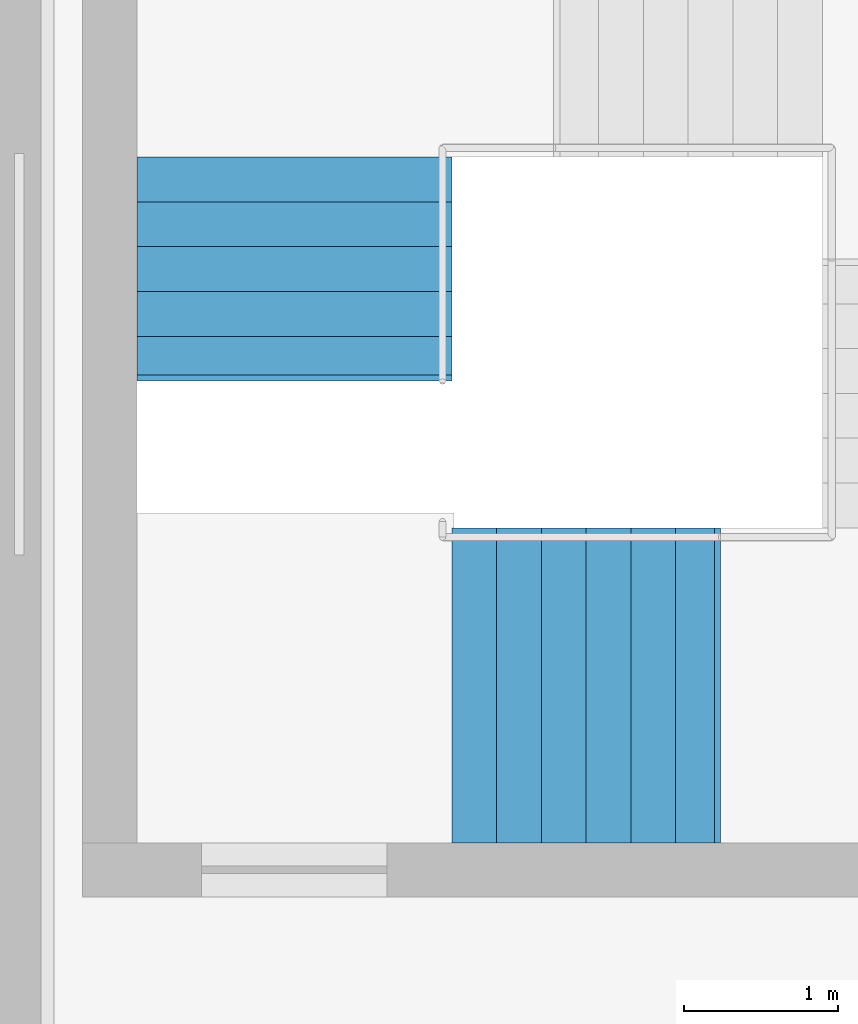
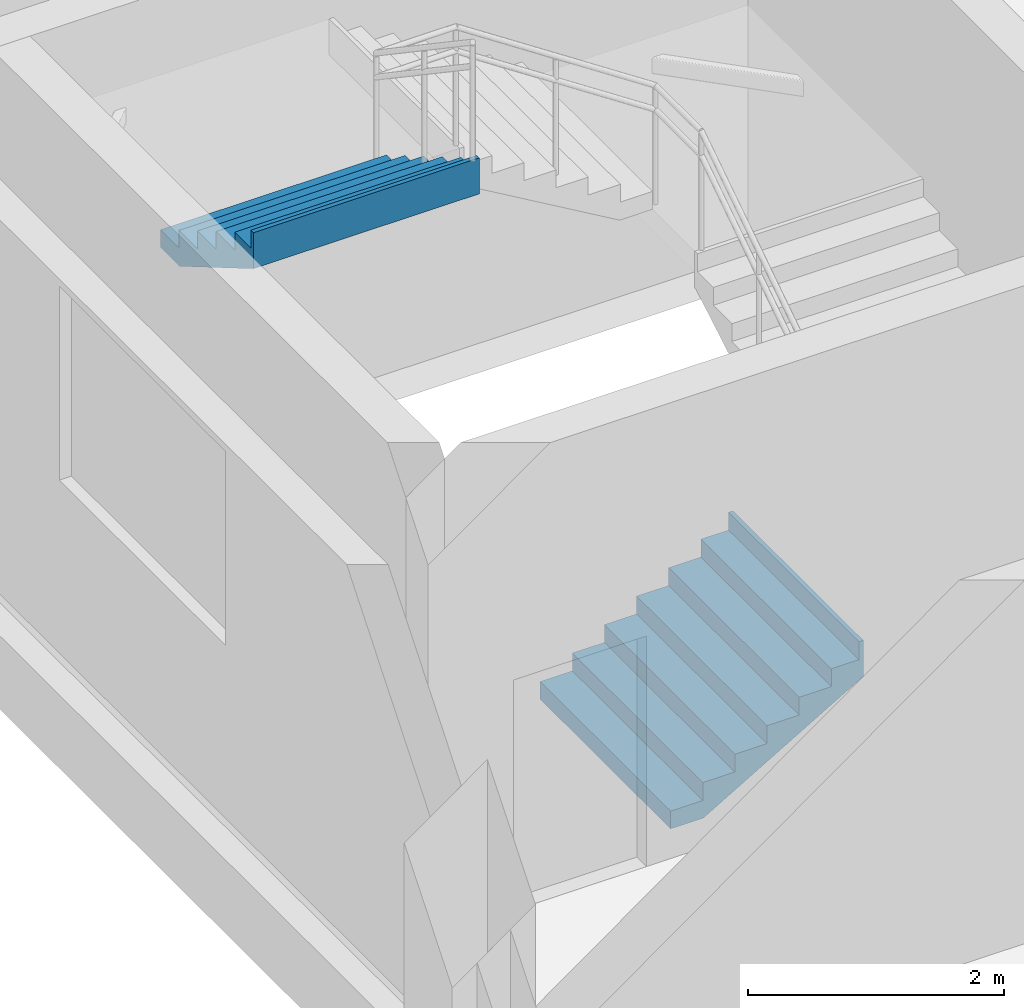
# One storey, part 44 of 58: 2 stair flights, 1 element without a shape of its own.
"""IFC4 building model written with IfcOpenShell, lengths in metres."""

from ifc_helpers import new_model, si_unit, direction, frame, origin, place, context, subcontext, project, spatial, triangles, material, type_object, element, aggregate, save


model = new_model("IFC4")

# Units and contexts
model_context = context("Model", 3, precision=1e-05, world=origin(), true_north=direction((0.0, 1.0)))
body_context = subcontext(model_context, "Body", "Model", "MODEL_VIEW")
ifc_project = project(units=[si_unit("LENGTHUNIT", "METRE"), si_unit("AREAUNIT", "SQUARE_METRE"), si_unit("VOLUMEUNIT", "CUBIC_METRE"), si_unit("PLANEANGLEUNIT", "RADIAN"), si_unit("MASSUNIT", "GRAM", prefix="KILO")], contexts=[model_context])

# Site, building, storey
site_placement = place(None, origin())
site = spatial("IfcSite", under=ifc_project, at=site_placement, CompositionType="ELEMENT")
building_placement = place(site_placement, origin())
building = spatial("IfcBuilding", under=site, at=building_placement, Name="Sillaruma Civic Art Gallery", CompositionType="ELEMENT")
storey_placement = place(building_placement, frame((0.0, 0.0, 28.56005859375)))
storey = spatial("IfcBuildingStorey", under=building, at=storey_placement, Name="L05", CompositionType="ELEMENT", Elevation=28.56005859375)

# Stair, stair flights
ifc_material = material(Name="Concrete H35 (35 MPa)", Category="concrete")
stair_type = type_object("IfcStairType", Name="STR-4F-27", PredefinedType="USERDEFINED", material=ifc_material)
stair_placement = place(storey_placement, origin())
stair = element("IfcStair", 1, at=stair_placement, inside=storey, type_object=stair_type, Name="Protected Exit Stair ST-03 (West Bar South) (L05)", ObjectType="THREE_RETURN_STAIR", PredefinedType="USERDEFINED")
stair_flight_type_1 = type_object("IfcStairFlightType", Name="SFL-STR-6", PredefinedType="STRAIGHT", material=ifc_material)
stair_flight_1_placement = place(storey_placement, frame((63.780029296875, 35.85009765625, 3.56982421875), z_axis=(0.0, 0.0, 1.0), x_axis=(0.0, -1.0, 0.0)))
stair_flight_1 = element("IfcStairFlight", 2, at=stair_flight_1_placement, type_object=stair_flight_type_1, Name="ST-03 flight 4", NumberOfRisers=6, NumberOfTreads=5, PredefinedType="STRAIGHT", RiserHeight=0.17, TreadLength=0.29, context=body_context, shape_type="Tessellation", body=[
    triangles([(0.0, -1.02001953125, 0.0), (0.29, -1.02001953125, 0.0), (0.296365, -1.02001953125, 0.0), (0.58, -1.02001953125, 0.166269), (0.87, -1.02001953125, 0.336269), (1.16, -1.02001953125, 0.506269), (1.409951, -1.02001953125, 0.652792), (1.449951, -1.02001953125, 0.67624), (1.449951, -1.02001953125, 1.02), (1.409951, -1.02001953125, 1.02), (1.409951, -1.02001953125, 0.85), (1.16, -1.02001953125, 0.85), (1.16, -1.02001953125, 0.68), (0.87, -1.02001953125, 0.68), (0.87, -1.02001953125, 0.51), (0.58, -1.02001953125, 0.51), (0.58, -1.02001953125, 0.34), (0.296365, -1.02001953125, 0.34), (0.29, -1.02001953125, 0.34), (0.29, -1.02001953125, 0.17), (0.0, -1.02001953125, 0.17), (0.0, -0.05, 0.0), (0.29, -0.05, 0.0), (0.296365, -0.05, 0.0), (0.58, -0.05, 0.166269), (0.87, -0.05, 0.336269), (1.16, -0.05, 0.506269), (1.409951, -0.05, 0.652792), (1.449951, -0.05, 0.67624), (1.449951, -0.05, 1.02), (1.409951, -0.05, 1.02), (1.409951, -0.05, 0.85), (1.16, -0.05, 0.85), (1.16, -0.05, 0.68), (0.87, -0.05, 0.68), (0.87, -0.05, 0.51), (0.58, -0.05, 0.51), (0.58, -0.05, 0.34), (0.296365, -0.05, 0.34), (0.29, -0.05, 0.34), (0.29, -0.05, 0.17), (0.0, -0.05, 0.17), (0.0, -0.0375, 0.0), (0.29, -0.0375, 0.0), (0.296365, -0.0375, 0.0), (0.58, -0.0375, 0.166269), (0.87, -0.0375, 0.336269), (1.16, -0.0375, 0.506269), (1.409951, -0.0375, 0.652792), (1.449951, -0.0375, 0.67624), (1.449951, -0.0375, 1.02), (1.409951, -0.0375, 1.02), (1.409951, -0.0375, 0.85), (1.16, -0.0375, 0.85), (1.16, -0.0375, 0.68), (0.87, -0.0375, 0.68), (0.87, -0.0375, 0.51), (0.58, -0.0375, 0.51), (0.58, -0.0375, 0.34), (0.296365, -0.0375, 0.34), (0.29, -0.0375, 0.34), (0.29, -0.0375, 0.17), (0.0, -0.0375, 0.17), (0.0, -0.025, 0.0), (0.29, -0.025, 0.0), (0.296365, -0.025, 0.0), (0.58, -0.025, 0.166269), (0.87, -0.025, 0.336269), (1.16, -0.025, 0.506269), (1.409951, -0.025, 0.652792), (1.449951, -0.025, 0.67624), (1.449951, -0.025, 1.02), (1.409951, -0.025, 1.02), (1.409951, -0.025, 0.85), (1.16, -0.025, 0.85), (1.16, -0.025, 0.68), (0.87, -0.025, 0.68), (0.87, -0.025, 0.51), (0.58, -0.025, 0.51), (0.58, -0.025, 0.34), (0.296365, -0.025, 0.34), (0.29, -0.025, 0.34), (0.29, -0.025, 0.17), (0.0, -0.025, 0.17), (0.0, -0.0125, 0.0), (0.29, -0.0125, 0.0), (0.296365, -0.0125, 0.0), (0.58, -0.0125, 0.166269), (0.87, -0.0125, 0.336269), (1.16, -0.0125, 0.506269), (1.409951, -0.0125, 0.652792), (1.449951, -0.0125, 0.67624), (1.449951, -0.0125, 1.02), (1.409951, -0.0125, 1.02), (1.409951, -0.0125, 0.85), (1.16, -0.0125, 0.85), (1.16, -0.0125, 0.68), (0.87, -0.0125, 0.68), (0.87, -0.0125, 0.51), (0.58, -0.0125, 0.51), (0.58, -0.0125, 0.34), (0.296365, -0.0125, 0.34), (0.29, -0.0125, 0.34), (0.29, -0.0125, 0.17), (0.0, -0.0125, 0.17), (0.0, 0.0, 0.0), (0.29, 0.0, 0.0), (0.296365, 0.0, 0.0), (0.58, 0.0, 0.166269), (0.87, 0.0, 0.336269), (1.16, 0.0, 0.506269), (1.409951, 0.0, 0.652792), (1.449951, 0.0, 0.67624), (1.449951, 0.0, 1.02), (1.409951, 0.0, 1.02), (1.409951, 0.0, 0.85), (1.16, 0.0, 0.85), (1.16, 0.0, 0.68), (0.87, 0.0, 0.68), (0.87, 0.0, 0.51), (0.58, 0.0, 0.51), (0.58, 0.0, 0.34), (0.296365, 0.0, 0.34), (0.29, 0.0, 0.34), (0.29, 0.0, 0.17), (0.0, 0.0, 0.17), (0.0, 0.0125, 0.0), (0.29, 0.0125, 0.0), (0.296365, 0.0125, 0.0), (0.58, 0.0125, 0.166269), (0.87, 0.0125, 0.336269), (1.16, 0.0125, 0.506269), (1.409951, 0.0125, 0.652792), (1.449951, 0.0125, 0.67624), (1.449951, 0.0125, 1.02), (1.409951, 0.0125, 1.02), (1.409951, 0.0125, 0.85), (1.16, 0.0125, 0.85), (1.16, 0.0125, 0.68), (0.87, 0.0125, 0.68), (0.87, 0.0125, 0.51), (0.58, 0.0125, 0.51), (0.58, 0.0125, 0.34), (0.296365, 0.0125, 0.34), (0.29, 0.0125, 0.34), (0.29, 0.0125, 0.17), (0.0, 0.0125, 0.17), (0.0, 0.025, 0.0), (0.29, 0.025, 0.0), (0.296365, 0.025, 0.0), (0.58, 0.025, 0.166269), (0.87, 0.025, 0.336269), (1.16, 0.025, 0.506269), (1.409951, 0.025, 0.652792), (1.449951, 0.025, 0.67624), (1.449951, 0.025, 1.02), (1.409951, 0.025, 1.02), (1.409951, 0.025, 0.85), (1.16, 0.025, 0.85), (1.16, 0.025, 0.68), (0.87, 0.025, 0.68), (0.87, 0.025, 0.51), (0.58, 0.025, 0.51), (0.58, 0.025, 0.34), (0.296365, 0.025, 0.34), (0.29, 0.025, 0.34), (0.29, 0.025, 0.17), (0.0, 0.025, 0.17), (0.0, 0.0375, 0.0), (0.29, 0.0375, 0.0), (0.296365, 0.0375, 0.0), (0.58, 0.0375, 0.166269), (0.87, 0.0375, 0.336269), (1.16, 0.0375, 0.506269), (1.409951, 0.0375, 0.652792), (1.449951, 0.0375, 0.67624), (1.449951, 0.0375, 1.02), (1.409951, 0.0375, 1.02), (1.409951, 0.0375, 0.85), (1.16, 0.0375, 0.85), (1.16, 0.0375, 0.68), (0.87, 0.0375, 0.68), (0.87, 0.0375, 0.51), (0.58, 0.0375, 0.51), (0.58, 0.0375, 0.34), (0.296365, 0.0375, 0.34), (0.29, 0.0375, 0.34), (0.29, 0.0375, 0.17), (0.0, 0.0375, 0.17), (0.0, 0.05, 0.0), (0.29, 0.05, 0.0), (0.296365, 0.05, 0.0), (0.58, 0.05, 0.166269), (0.87, 0.05, 0.336269), (1.16, 0.05, 0.506269), (1.409951, 0.05, 0.652792), (1.449951, 0.05, 0.67624), (1.449951, 0.05, 1.02), (1.409951, 0.05, 1.02), (1.409951, 0.05, 0.85), (1.16, 0.05, 0.85), (1.16, 0.05, 0.68), (0.87, 0.05, 0.68), (0.87, 0.05, 0.51), (0.58, 0.05, 0.51), (0.58, 0.05, 0.34), (0.296365, 0.05, 0.34), (0.29, 0.05, 0.34), (0.29, 0.05, 0.17), (0.0, 0.05, 0.17), (0.0, 1.02001953125, 0.0), (0.29, 1.02001953125, 0.0), (0.296365, 1.02001953125, 0.0), (0.58, 1.02001953125, 0.166269), (0.87, 1.02001953125, 0.336269), (1.16, 1.02001953125, 0.506269), (1.409951, 1.02001953125, 0.652792), (1.449951, 1.02001953125, 0.67624), (1.449951, 1.02001953125, 1.02), (1.409951, 1.02001953125, 1.02), (1.409951, 1.02001953125, 0.85), (1.16, 1.02001953125, 0.85), (1.16, 1.02001953125, 0.68), (0.87, 1.02001953125, 0.68), (0.87, 1.02001953125, 0.51), (0.58, 1.02001953125, 0.51), (0.58, 1.02001953125, 0.34), (0.296365, 1.02001953125, 0.34), (0.29, 1.02001953125, 0.34), (0.29, 1.02001953125, 0.17), (0.0, 1.02001953125, 0.17)], [[1, 2, 20], [1, 20, 21], [2, 3, 18], [2, 18, 20], [20, 18, 19], [3, 4, 17], [3, 17, 18], [4, 5, 15], [4, 15, 17], [17, 15, 16], [5, 6, 13], [5, 13, 15], [15, 13, 14], [6, 7, 11], [6, 11, 13], [13, 11, 12], [7, 8, 9], [7, 9, 11], [11, 9, 10], [230, 212, 211], [231, 230, 211], [228, 213, 212], [230, 228, 212], [229, 228, 230], [227, 214, 213], [228, 227, 213], [225, 215, 214], [227, 225, 214], [226, 225, 227], [223, 216, 215], [225, 223, 215], [224, 223, 225], [221, 217, 216], [223, 221, 216], [222, 221, 223], [219, 218, 217], [221, 219, 217], [220, 219, 221], [2, 1, 22], [2, 22, 23], [3, 2, 23], [3, 23, 24], [4, 3, 24], [4, 24, 25], [5, 4, 25], [5, 25, 26], [6, 5, 26], [6, 26, 27], [7, 6, 27], [7, 27, 28], [8, 7, 28], [8, 28, 29], [9, 8, 29], [9, 29, 30], [10, 9, 30], [10, 30, 31], [11, 10, 31], [11, 31, 32], [12, 11, 32], [12, 32, 33], [13, 12, 33], [13, 33, 34], [14, 13, 34], [14, 34, 35], [15, 14, 35], [15, 35, 36], [16, 15, 36], [16, 36, 37], [17, 16, 37], [17, 37, 38], [18, 17, 38], [18, 38, 39], [19, 18, 39], [19, 39, 40], [20, 19, 40], [20, 40, 41], [21, 20, 41], [21, 41, 42], [1, 21, 42], [1, 42, 22], [23, 22, 43], [23, 43, 44], [24, 23, 44], [24, 44, 45], [25, 24, 45], [25, 45, 46], [26, 25, 46], [26, 46, 47], [27, 26, 47], [27, 47, 48], [28, 27, 48], [28, 48, 49], [29, 28, 49], [29, 49, 50], [30, 29, 50], [30, 50, 51], [31, 30, 51], [31, 51, 52], [32, 31, 52], [32, 52, 53], [33, 32, 53], [33, 53, 54], [34, 33, 54], [34, 54, 55], [35, 34, 55], [35, 55, 56], [36, 35, 56], [36, 56, 57], [37, 36, 57], [37, 57, 58], [38, 37, 58], [38, 58, 59], [39, 38, 59], [39, 59, 60], [40, 39, 60], [40, 60, 61], [41, 40, 61], [41, 61, 62], [42, 41, 62], [42, 62, 63], [22, 42, 63], [22, 63, 43], [44, 43, 64], [44, 64, 65], [45, 44, 65], [45, 65, 66], [46, 45, 66], [46, 66, 67], [47, 46, 67], [47, 67, 68], [48, 47, 68], [48, 68, 69], [49, 48, 69], [49, 69, 70], [50, 49, 70], [50, 70, 71], [51, 50, 71], [51, 71, 72], [52, 51, 72], [52, 72, 73], [53, 52, 73], [53, 73, 74], [54, 53, 74], [54, 74, 75], [55, 54, 75], [55, 75, 76], [56, 55, 76], [56, 76, 77], [57, 56, 77], [57, 77, 78], [58, 57, 78], [58, 78, 79], [59, 58, 79], [59, 79, 80], [60, 59, 80], [60, 80, 81], [61, 60, 81], [61, 81, 82], [62, 61, 82], [62, 82, 83], [63, 62, 83], [63, 83, 84], [43, 63, 84], [43, 84, 64], [65, 64, 85], [65, 85, 86], [66, 65, 86], [66, 86, 87], [67, 66, 87], [67, 87, 88], [68, 67, 88], [68, 88, 89], [69, 68, 89], [69, 89, 90], [70, 69, 90], [70, 90, 91], [71, 70, 91], [71, 91, 92], [72, 71, 92], [72, 92, 93], [73, 72, 93], [73, 93, 94], [74, 73, 94], [74, 94, 95], [75, 74, 95], [75, 95, 96], [76, 75, 96], [76, 96, 97], [77, 76, 97], [77, 97, 98], [78, 77, 98], [78, 98, 99], [79, 78, 99], [79, 99, 100], [80, 79, 100], [80, 100, 101], [81, 80, 101], [81, 101, 102], [82, 81, 102], [82, 102, 103], [83, 82, 103], [83, 103, 104], [84, 83, 104], [84, 104, 105], [64, 84, 105], [64, 105, 85], [86, 85, 106], [86, 106, 107], [87, 86, 107], [87, 107, 108], [88, 87, 108], [88, 108, 109], [89, 88, 109], [89, 109, 110], [90, 89, 110], [90, 110, 111], [91, 90, 111], [91, 111, 112], [92, 91, 112], [92, 112, 113], [93, 92, 113], [93, 113, 114], [94, 93, 114], [94, 114, 115], [95, 94, 115], [95, 115, 116], [96, 95, 116], [96, 116, 117], [97, 96, 117], [97, 117, 118], [98, 97, 118], [98, 118, 119], [99, 98, 119], [99, 119, 120], [100, 99, 120], [100, 120, 121], [101, 100, 121], [101, 121, 122], [102, 101, 122], [102, 122, 123], [103, 102, 123], [103, 123, 124], [104, 103, 124], [104, 124, 125], [105, 104, 125], [105, 125, 126], [85, 105, 126], [85, 126, 106], [107, 106, 127], [107, 127, 128], [108, 107, 128], [108, 128, 129], [109, 108, 129], [109, 129, 130], [110, 109, 130], [110, 130, 131], [111, 110, 131], [111, 131, 132], [112, 111, 132], [112, 132, 133], [113, 112, 133], [113, 133, 134], [114, 113, 134], [114, 134, 135], [115, 114, 135], [115, 135, 136], [116, 115, 136], [116, 136, 137], [117, 116, 137], [117, 137, 138], [118, 117, 138], [118, 138, 139], [119, 118, 139], [119, 139, 140], [120, 119, 140], [120, 140, 141], [121, 120, 141], [121, 141, 142], [122, 121, 142], [122, 142, 143], [123, 122, 143], [123, 143, 144], [124, 123, 144], [124, 144, 145], [125, 124, 145], [125, 145, 146], [126, 125, 146], [126, 146, 147], [106, 126, 147], [106, 147, 127], [128, 127, 148], [128, 148, 149], [129, 128, 149], [129, 149, 150], [130, 129, 150], [130, 150, 151], [131, 130, 151], [131, 151, 152], [132, 131, 152], [132, 152, 153], [133, 132, 153], [133, 153, 154], [134, 133, 154], [134, 154, 155], [135, 134, 155], [135, 155, 156], [136, 135, 156], [136, 156, 157], [137, 136, 157], [137, 157, 158], [138, 137, 158], [138, 158, 159], [139, 138, 159], [139, 159, 160], [140, 139, 160], [140, 160, 161], [141, 140, 161], [141, 161, 162], [142, 141, 162], [142, 162, 163], [143, 142, 163], [143, 163, 164], [144, 143, 164], [144, 164, 165], [145, 144, 165], [145, 165, 166], [146, 145, 166], [146, 166, 167], [147, 146, 167], [147, 167, 168], [127, 147, 168], [127, 168, 148], [149, 148, 169], [149, 169, 170], [150, 149, 170], [150, 170, 171], [151, 150, 171], [151, 171, 172], [152, 151, 172], [152, 172, 173], [153, 152, 173], [153, 173, 174], [154, 153, 174], [154, 174, 175], [155, 154, 175], [155, 175, 176], [156, 155, 176], [156, 176, 177], [157, 156, 177], [157, 177, 178], [158, 157, 178], [158, 178, 179], [159, 158, 179], [159, 179, 180], [160, 159, 180], [160, 180, 181], [161, 160, 181], [161, 181, 182], [162, 161, 182], [162, 182, 183], [163, 162, 183], [163, 183, 184], [164, 163, 184], [164, 184, 185], [165, 164, 185], [165, 185, 186], [166, 165, 186], [166, 186, 187], [167, 166, 187], [167, 187, 188], [168, 167, 188], [168, 188, 189], [148, 168, 189], [148, 189, 169], [170, 169, 190], [170, 190, 191], [171, 170, 191], [171, 191, 192], [172, 171, 192], [172, 192, 193], [173, 172, 193], [173, 193, 194], [174, 173, 194], [174, 194, 195], [175, 174, 195], [175, 195, 196], [176, 175, 196], [176, 196, 197], [177, 176, 197], [177, 197, 198], [178, 177, 198], [178, 198, 199], [179, 178, 199], [179, 199, 200], [180, 179, 200], [180, 200, 201], [181, 180, 201], [181, 201, 202], [182, 181, 202], [182, 202, 203], [183, 182, 203], [183, 203, 204], [184, 183, 204], [184, 204, 205], [185, 184, 205], [185, 205, 206], [186, 185, 206], [186, 206, 207], [187, 186, 207], [187, 207, 208], [188, 187, 208], [188, 208, 209], [189, 188, 209], [189, 209, 210], [169, 189, 210], [169, 210, 190], [191, 190, 211], [191, 211, 212], [192, 191, 212], [192, 212, 213], [193, 192, 213], [193, 213, 214], [194, 193, 214], [194, 214, 215], [195, 194, 215], [195, 215, 216], [196, 195, 216], [196, 216, 217], [197, 196, 217], [197, 217, 218], [198, 197, 218], [198, 218, 219], [199, 198, 219], [199, 219, 220], [200, 199, 220], [200, 220, 221], [201, 200, 221], [201, 221, 222], [202, 201, 222], [202, 222, 223], [203, 202, 223], [203, 223, 224], [204, 203, 224], [204, 224, 225], [205, 204, 225], [205, 225, 226], [206, 205, 226], [206, 226, 227], [207, 206, 227], [207, 227, 228], [208, 207, 228], [208, 228, 229], [209, 208, 229], [209, 229, 230], [210, 209, 230], [210, 230, 231], [190, 210, 231], [190, 231, 211]], closed=True),
])
stair_flight_type_2 = type_object("IfcStairFlightType", Name="SFL-STR-7", PredefinedType="STRAIGHT", material=ifc_material)
stair_flight_2_placement = place(storey_placement, frame((64.800048828125, 32.429931640625, 0.0), z_axis=(0.0, 0.0, 1.0), x_axis=(1.0, 0.0, 0.0)))
stair_flight_2 = element("IfcStairFlight", 3, at=stair_flight_2_placement, type_object=stair_flight_type_2, Name="ST-03 flight 1", NumberOfRisers=7, NumberOfTreads=6, PredefinedType="STRAIGHT", RiserHeight=0.17, TreadLength=0.29, context=body_context, shape_type="Tessellation", body=[
    triangles([(0.0, -1.02001953125, 0.0), (0.29, -1.02001953125, 0.0), (0.296404, -1.02001953125, 0.0), (0.58, -1.02001953125, 0.166246), (0.87, -1.02001953125, 0.336246), (1.16, -1.02001953125, 0.506246), (1.45, -1.02001953125, 0.676246), (1.69999, -1.02001953125, 0.822792), (1.73999, -1.02001953125, 0.84624), (1.73999, -1.02001953125, 1.19), (1.69999, -1.02001953125, 1.19), (1.69999, -1.02001953125, 1.02), (1.45, -1.02001953125, 1.02), (1.45, -1.02001953125, 0.85), (1.16, -1.02001953125, 0.85), (1.16, -1.02001953125, 0.68), (0.87, -1.02001953125, 0.68), (0.87, -1.02001953125, 0.51), (0.58, -1.02001953125, 0.51), (0.58, -1.02001953125, 0.34), (0.296404, -1.02001953125, 0.34), (0.29, -1.02001953125, 0.34), (0.29, -1.02001953125, 0.17), (0.0, -1.02001953125, 0.17), (0.0, -0.05, 0.0), (0.29, -0.05, 0.0), (0.296404, -0.05, 0.0), (0.58, -0.05, 0.166246), (0.87, -0.05, 0.336246), (1.16, -0.05, 0.506246), (1.45, -0.05, 0.676246), (1.69999, -0.05, 0.822792), (1.73999, -0.05, 0.84624), (1.73999, -0.05, 1.19), (1.69999, -0.05, 1.19), (1.69999, -0.05, 1.02), (1.45, -0.05, 1.02), (1.45, -0.05, 0.85), (1.16, -0.05, 0.85), (1.16, -0.05, 0.68), (0.87, -0.05, 0.68), (0.87, -0.05, 0.51), (0.58, -0.05, 0.51), (0.58, -0.05, 0.34), (0.296404, -0.05, 0.34), (0.29, -0.05, 0.34), (0.29, -0.05, 0.17), (0.0, -0.05, 0.17), (0.0, -0.0375, 0.0), (0.29, -0.0375, 0.0), (0.296404, -0.0375, 0.0), (0.58, -0.0375, 0.166246), (0.87, -0.0375, 0.336246), (1.16, -0.0375, 0.506246), (1.45, -0.0375, 0.676246), (1.69999, -0.0375, 0.822792), (1.73999, -0.0375, 0.84624), (1.73999, -0.0375, 1.19), (1.69999, -0.0375, 1.19), (1.69999, -0.0375, 1.02), (1.45, -0.0375, 1.02), (1.45, -0.0375, 0.85), (1.16, -0.0375, 0.85), (1.16, -0.0375, 0.68), (0.87, -0.0375, 0.68), (0.87, -0.0375, 0.51), (0.58, -0.0375, 0.51), (0.58, -0.0375, 0.34), (0.296404, -0.0375, 0.34), (0.29, -0.0375, 0.34), (0.29, -0.0375, 0.17), (0.0, -0.0375, 0.17), (0.0, -0.025, 0.0), (0.29, -0.025, 0.0), (0.296404, -0.025, 0.0), (0.58, -0.025, 0.166246), (0.87, -0.025, 0.336246), (1.16, -0.025, 0.506246), (1.45, -0.025, 0.676246), (1.69999, -0.025, 0.822792), (1.73999, -0.025, 0.84624), (1.73999, -0.025, 1.19), (1.69999, -0.025, 1.19), (1.69999, -0.025, 1.02), (1.45, -0.025, 1.02), (1.45, -0.025, 0.85), (1.16, -0.025, 0.85), (1.16, -0.025, 0.68), (0.87, -0.025, 0.68), (0.87, -0.025, 0.51), (0.58, -0.025, 0.51), (0.58, -0.025, 0.34), (0.296404, -0.025, 0.34), (0.29, -0.025, 0.34), (0.29, -0.025, 0.17), (0.0, -0.025, 0.17), (0.0, -0.0125, 0.0), (0.29, -0.0125, 0.0), (0.296404, -0.0125, 0.0), (0.58, -0.0125, 0.166246), (0.87, -0.0125, 0.336246), (1.16, -0.0125, 0.506246), (1.45, -0.0125, 0.676246), (1.69999, -0.0125, 0.822792), (1.73999, -0.0125, 0.84624), (1.73999, -0.0125, 1.19), (1.69999, -0.0125, 1.19), (1.69999, -0.0125, 1.02), (1.45, -0.0125, 1.02), (1.45, -0.0125, 0.85), (1.16, -0.0125, 0.85), (1.16, -0.0125, 0.68), (0.87, -0.0125, 0.68), (0.87, -0.0125, 0.51), (0.58, -0.0125, 0.51), (0.58, -0.0125, 0.34), (0.296404, -0.0125, 0.34), (0.29, -0.0125, 0.34), (0.29, -0.0125, 0.17), (0.0, -0.0125, 0.17), (0.0, 0.0, 0.0), (0.29, 0.0, 0.0), (0.296404, 0.0, 0.0), (0.58, 0.0, 0.166246), (0.87, 0.0, 0.336246), (1.16, 0.0, 0.506246), (1.45, 0.0, 0.676246), (1.69999, 0.0, 0.822792), (1.73999, 0.0, 0.84624), (1.73999, 0.0, 1.19), (1.69999, 0.0, 1.19), (1.69999, 0.0, 1.02), (1.45, 0.0, 1.02), (1.45, 0.0, 0.85), (1.16, 0.0, 0.85), (1.16, 0.0, 0.68), (0.87, 0.0, 0.68), (0.87, 0.0, 0.51), (0.58, 0.0, 0.51), (0.58, 0.0, 0.34), (0.296404, 0.0, 0.34), (0.29, 0.0, 0.34), (0.29, 0.0, 0.17), (0.0, 0.0, 0.17), (0.0, 0.0125, 0.0), (0.29, 0.0125, 0.0), (0.296404, 0.0125, 0.0), (0.58, 0.0125, 0.166246), (0.87, 0.0125, 0.336246), (1.16, 0.0125, 0.506246), (1.45, 0.0125, 0.676246), (1.69999, 0.0125, 0.822792), (1.73999, 0.0125, 0.84624), (1.73999, 0.0125, 1.19), (1.69999, 0.0125, 1.19), (1.69999, 0.0125, 1.02), (1.45, 0.0125, 1.02), (1.45, 0.0125, 0.85), (1.16, 0.0125, 0.85), (1.16, 0.0125, 0.68), (0.87, 0.0125, 0.68), (0.87, 0.0125, 0.51), (0.58, 0.0125, 0.51), (0.58, 0.0125, 0.34), (0.296404, 0.0125, 0.34), (0.29, 0.0125, 0.34), (0.29, 0.0125, 0.17), (0.0, 0.0125, 0.17), (0.0, 0.025, 0.0), (0.29, 0.025, 0.0), (0.296404, 0.025, 0.0), (0.58, 0.025, 0.166246), (0.87, 0.025, 0.336246), (1.16, 0.025, 0.506246), (1.45, 0.025, 0.676246), (1.69999, 0.025, 0.822792), (1.73999, 0.025, 0.84624), (1.73999, 0.025, 1.19), (1.69999, 0.025, 1.19), (1.69999, 0.025, 1.02), (1.45, 0.025, 1.02), (1.45, 0.025, 0.85), (1.16, 0.025, 0.85), (1.16, 0.025, 0.68), (0.87, 0.025, 0.68), (0.87, 0.025, 0.51), (0.58, 0.025, 0.51), (0.58, 0.025, 0.34), (0.296404, 0.025, 0.34), (0.29, 0.025, 0.34), (0.29, 0.025, 0.17), (0.0, 0.025, 0.17), (0.0, 0.0375, 0.0), (0.29, 0.0375, 0.0), (0.296404, 0.0375, 0.0), (0.58, 0.0375, 0.166246), (0.87, 0.0375, 0.336246), (1.16, 0.0375, 0.506246), (1.45, 0.0375, 0.676246), (1.69999, 0.0375, 0.822792), (1.73999, 0.0375, 0.84624), (1.73999, 0.0375, 1.19), (1.69999, 0.0375, 1.19), (1.69999, 0.0375, 1.02), (1.45, 0.0375, 1.02), (1.45, 0.0375, 0.85), (1.16, 0.0375, 0.85), (1.16, 0.0375, 0.68), (0.87, 0.0375, 0.68), (0.87, 0.0375, 0.51), (0.58, 0.0375, 0.51), (0.58, 0.0375, 0.34), (0.296404, 0.0375, 0.34), (0.29, 0.0375, 0.34), (0.29, 0.0375, 0.17), (0.0, 0.0375, 0.17), (0.0, 0.05, 0.0), (0.29, 0.05, 0.0), (0.296404, 0.05, 0.0), (0.58, 0.05, 0.166246), (0.87, 0.05, 0.336246), (1.16, 0.05, 0.506246), (1.45, 0.05, 0.676246), (1.69999, 0.05, 0.822792), (1.73999, 0.05, 0.84624), (1.73999, 0.05, 1.19), (1.69999, 0.05, 1.19), (1.69999, 0.05, 1.02), (1.45, 0.05, 1.02), (1.45, 0.05, 0.85), (1.16, 0.05, 0.85), (1.16, 0.05, 0.68), (0.87, 0.05, 0.68), (0.87, 0.05, 0.51), (0.58, 0.05, 0.51), (0.58, 0.05, 0.34), (0.296404, 0.05, 0.34), (0.29, 0.05, 0.34), (0.29, 0.05, 0.17), (0.0, 0.05, 0.17), (0.0, 1.02001953125, 0.0), (0.29, 1.02001953125, 0.0), (0.296404, 1.02001953125, 0.0), (0.58, 1.02001953125, 0.166246), (0.87, 1.02001953125, 0.336246), (1.16, 1.02001953125, 0.506246), (1.45, 1.02001953125, 0.676246), (1.69999, 1.02001953125, 0.822792), (1.73999, 1.02001953125, 0.84624), (1.73999, 1.02001953125, 1.19), (1.69999, 1.02001953125, 1.19), (1.69999, 1.02001953125, 1.02), (1.45, 1.02001953125, 1.02), (1.45, 1.02001953125, 0.85), (1.16, 1.02001953125, 0.85), (1.16, 1.02001953125, 0.68), (0.87, 1.02001953125, 0.68), (0.87, 1.02001953125, 0.51), (0.58, 1.02001953125, 0.51), (0.58, 1.02001953125, 0.34), (0.296404, 1.02001953125, 0.34), (0.29, 1.02001953125, 0.34), (0.29, 1.02001953125, 0.17), (0.0, 1.02001953125, 0.17)], [[1, 2, 23], [1, 23, 24], [2, 3, 21], [2, 21, 23], [23, 21, 22], [3, 4, 20], [3, 20, 21], [4, 5, 18], [4, 18, 20], [20, 18, 19], [5, 6, 16], [5, 16, 18], [18, 16, 17], [6, 7, 14], [6, 14, 16], [16, 14, 15], [7, 8, 12], [7, 12, 14], [14, 12, 13], [8, 9, 10], [8, 10, 12], [12, 10, 11], [263, 242, 241], [264, 263, 241], [261, 243, 242], [263, 261, 242], [262, 261, 263], [260, 244, 243], [261, 260, 243], [258, 245, 244], [260, 258, 244], [259, 258, 260], [256, 246, 245], [258, 256, 245], [257, 256, 258], [254, 247, 246], [256, 254, 246], [255, 254, 256], [252, 248, 247], [254, 252, 247], [253, 252, 254], [250, 249, 248], [252, 250, 248], [251, 250, 252], [2, 1, 25], [2, 25, 26], [3, 2, 26], [3, 26, 27], [4, 3, 27], [4, 27, 28], [5, 4, 28], [5, 28, 29], [6, 5, 29], [6, 29, 30], [7, 6, 30], [7, 30, 31], [8, 7, 31], [8, 31, 32], [9, 8, 32], [9, 32, 33], [10, 9, 33], [10, 33, 34], [11, 10, 34], [11, 34, 35], [12, 11, 35], [12, 35, 36], [13, 12, 36], [13, 36, 37], [14, 13, 37], [14, 37, 38], [15, 14, 38], [15, 38, 39], [16, 15, 39], [16, 39, 40], [17, 16, 40], [17, 40, 41], [18, 17, 41], [18, 41, 42], [19, 18, 42], [19, 42, 43], [20, 19, 43], [20, 43, 44], [21, 20, 44], [21, 44, 45], [22, 21, 45], [22, 45, 46], [23, 22, 46], [23, 46, 47], [24, 23, 47], [24, 47, 48], [1, 24, 48], [1, 48, 25], [26, 25, 49], [26, 49, 50], [27, 26, 50], [27, 50, 51], [28, 27, 51], [28, 51, 52], [29, 28, 52], [29, 52, 53], [30, 29, 53], [30, 53, 54], [31, 30, 54], [31, 54, 55], [32, 31, 55], [32, 55, 56], [33, 32, 56], [33, 56, 57], [34, 33, 57], [34, 57, 58], [35, 34, 58], [35, 58, 59], [36, 35, 59], [36, 59, 60], [37, 36, 60], [37, 60, 61], [38, 37, 61], [38, 61, 62], [39, 38, 62], [39, 62, 63], [40, 39, 63], [40, 63, 64], [41, 40, 64], [41, 64, 65], [42, 41, 65], [42, 65, 66], [43, 42, 66], [43, 66, 67], [44, 43, 67], [44, 67, 68], [45, 44, 68], [45, 68, 69], [46, 45, 69], [46, 69, 70], [47, 46, 70], [47, 70, 71], [48, 47, 71], [48, 71, 72], [25, 48, 72], [25, 72, 49], [50, 49, 73], [50, 73, 74], [51, 50, 74], [51, 74, 75], [52, 51, 75], [52, 75, 76], [53, 52, 76], [53, 76, 77], [54, 53, 77], [54, 77, 78], [55, 54, 78], [55, 78, 79], [56, 55, 79], [56, 79, 80], [57, 56, 80], [57, 80, 81], [58, 57, 81], [58, 81, 82], [59, 58, 82], [59, 82, 83], [60, 59, 83], [60, 83, 84], [61, 60, 84], [61, 84, 85], [62, 61, 85], [62, 85, 86], [63, 62, 86], [63, 86, 87], [64, 63, 87], [64, 87, 88], [65, 64, 88], [65, 88, 89], [66, 65, 89], [66, 89, 90], [67, 66, 90], [67, 90, 91], [68, 67, 91], [68, 91, 92], [69, 68, 92], [69, 92, 93], [70, 69, 93], [70, 93, 94], [71, 70, 94], [71, 94, 95], [72, 71, 95], [72, 95, 96], [49, 72, 96], [49, 96, 73], [74, 73, 97], [74, 97, 98], [75, 74, 98], [75, 98, 99], [76, 75, 99], [76, 99, 100], [77, 76, 100], [77, 100, 101], [78, 77, 101], [78, 101, 102], [79, 78, 102], [79, 102, 103], [80, 79, 103], [80, 103, 104], [81, 80, 104], [81, 104, 105], [82, 81, 105], [82, 105, 106], [83, 82, 106], [83, 106, 107], [84, 83, 107], [84, 107, 108], [85, 84, 108], [85, 108, 109], [86, 85, 109], [86, 109, 110], [87, 86, 110], [87, 110, 111], [88, 87, 111], [88, 111, 112], [89, 88, 112], [89, 112, 113], [90, 89, 113], [90, 113, 114], [91, 90, 114], [91, 114, 115], [92, 91, 115], [92, 115, 116], [93, 92, 116], [93, 116, 117], [94, 93, 117], [94, 117, 118], [95, 94, 118], [95, 118, 119], [96, 95, 119], [96, 119, 120], [73, 96, 120], [73, 120, 97], [98, 97, 121], [98, 121, 122], [99, 98, 122], [99, 122, 123], [100, 99, 123], [100, 123, 124], [101, 100, 124], [101, 124, 125], [102, 101, 125], [102, 125, 126], [103, 102, 126], [103, 126, 127], [104, 103, 127], [104, 127, 128], [105, 104, 128], [105, 128, 129], [106, 105, 129], [106, 129, 130], [107, 106, 130], [107, 130, 131], [108, 107, 131], [108, 131, 132], [109, 108, 132], [109, 132, 133], [110, 109, 133], [110, 133, 134], [111, 110, 134], [111, 134, 135], [112, 111, 135], [112, 135, 136], [113, 112, 136], [113, 136, 137], [114, 113, 137], [114, 137, 138], [115, 114, 138], [115, 138, 139], [116, 115, 139], [116, 139, 140], [117, 116, 140], [117, 140, 141], [118, 117, 141], [118, 141, 142], [119, 118, 142], [119, 142, 143], [120, 119, 143], [120, 143, 144], [97, 120, 144], [97, 144, 121], [122, 121, 145], [122, 145, 146], [123, 122, 146], [123, 146, 147], [124, 123, 147], [124, 147, 148], [125, 124, 148], [125, 148, 149], [126, 125, 149], [126, 149, 150], [127, 126, 150], [127, 150, 151], [128, 127, 151], [128, 151, 152], [129, 128, 152], [129, 152, 153], [130, 129, 153], [130, 153, 154], [131, 130, 154], [131, 154, 155], [132, 131, 155], [132, 155, 156], [133, 132, 156], [133, 156, 157], [134, 133, 157], [134, 157, 158], [135, 134, 158], [135, 158, 159], [136, 135, 159], [136, 159, 160], [137, 136, 160], [137, 160, 161], [138, 137, 161], [138, 161, 162], [139, 138, 162], [139, 162, 163], [140, 139, 163], [140, 163, 164], [141, 140, 164], [141, 164, 165], [142, 141, 165], [142, 165, 166], [143, 142, 166], [143, 166, 167], [144, 143, 167], [144, 167, 168], [121, 144, 168], [121, 168, 145], [146, 145, 169], [146, 169, 170], [147, 146, 170], [147, 170, 171], [148, 147, 171], [148, 171, 172], [149, 148, 172], [149, 172, 173], [150, 149, 173], [150, 173, 174], [151, 150, 174], [151, 174, 175], [152, 151, 175], [152, 175, 176], [153, 152, 176], [153, 176, 177], [154, 153, 177], [154, 177, 178], [155, 154, 178], [155, 178, 179], [156, 155, 179], [156, 179, 180], [157, 156, 180], [157, 180, 181], [158, 157, 181], [158, 181, 182], [159, 158, 182], [159, 182, 183], [160, 159, 183], [160, 183, 184], [161, 160, 184], [161, 184, 185], [162, 161, 185], [162, 185, 186], [163, 162, 186], [163, 186, 187], [164, 163, 187], [164, 187, 188], [165, 164, 188], [165, 188, 189], [166, 165, 189], [166, 189, 190], [167, 166, 190], [167, 190, 191], [168, 167, 191], [168, 191, 192], [145, 168, 192], [145, 192, 169], [170, 169, 193], [170, 193, 194], [171, 170, 194], [171, 194, 195], [172, 171, 195], [172, 195, 196], [173, 172, 196], [173, 196, 197], [174, 173, 197], [174, 197, 198], [175, 174, 198], [175, 198, 199], [176, 175, 199], [176, 199, 200], [177, 176, 200], [177, 200, 201], [178, 177, 201], [178, 201, 202], [179, 178, 202], [179, 202, 203], [180, 179, 203], [180, 203, 204], [181, 180, 204], [181, 204, 205], [182, 181, 205], [182, 205, 206], [183, 182, 206], [183, 206, 207], [184, 183, 207], [184, 207, 208], [185, 184, 208], [185, 208, 209], [186, 185, 209], [186, 209, 210], [187, 186, 210], [187, 210, 211], [188, 187, 211], [188, 211, 212], [189, 188, 212], [189, 212, 213], [190, 189, 213], [190, 213, 214], [191, 190, 214], [191, 214, 215], [192, 191, 215], [192, 215, 216], [169, 192, 216], [169, 216, 193], [194, 193, 217], [194, 217, 218], [195, 194, 218], [195, 218, 219], [196, 195, 219], [196, 219, 220], [197, 196, 220], [197, 220, 221], [198, 197, 221], [198, 221, 222], [199, 198, 222], [199, 222, 223], [200, 199, 223], [200, 223, 224], [201, 200, 224], [201, 224, 225], [202, 201, 225], [202, 225, 226], [203, 202, 226], [203, 226, 227], [204, 203, 227], [204, 227, 228], [205, 204, 228], [205, 228, 229], [206, 205, 229], [206, 229, 230], [207, 206, 230], [207, 230, 231], [208, 207, 231], [208, 231, 232], [209, 208, 232], [209, 232, 233], [210, 209, 233], [210, 233, 234], [211, 210, 234], [211, 234, 235], [212, 211, 235], [212, 235, 236], [213, 212, 236], [213, 236, 237], [214, 213, 237], [214, 237, 238], [215, 214, 238], [215, 238, 239], [216, 215, 239], [216, 239, 240], [193, 216, 240], [193, 240, 217], [218, 217, 241], [218, 241, 242], [219, 218, 242], [219, 242, 243], [220, 219, 243], [220, 243, 244], [221, 220, 244], [221, 244, 245], [222, 221, 245], [222, 245, 246], [223, 222, 246], [223, 246, 247], [224, 223, 247], [224, 247, 248], [225, 224, 248], [225, 248, 249], [226, 225, 249], [226, 249, 250], [227, 226, 250], [227, 250, 251], [228, 227, 251], [228, 251, 252], [229, 228, 252], [229, 252, 253], [230, 229, 253], [230, 253, 254], [231, 230, 254], [231, 254, 255], [232, 231, 255], [232, 255, 256], [233, 232, 256], [233, 256, 257], [234, 233, 257], [234, 257, 258], [235, 234, 258], [235, 258, 259], [236, 235, 259], [236, 259, 260], [237, 236, 260], [237, 260, 261], [238, 237, 261], [238, 261, 262], [239, 238, 262], [239, 262, 263], [240, 239, 263], [240, 263, 264], [217, 240, 264], [217, 264, 241]], closed=True),
])
aggregate(stair, [stair_flight_2, stair_flight_1])

save(model, "model.ifc")
